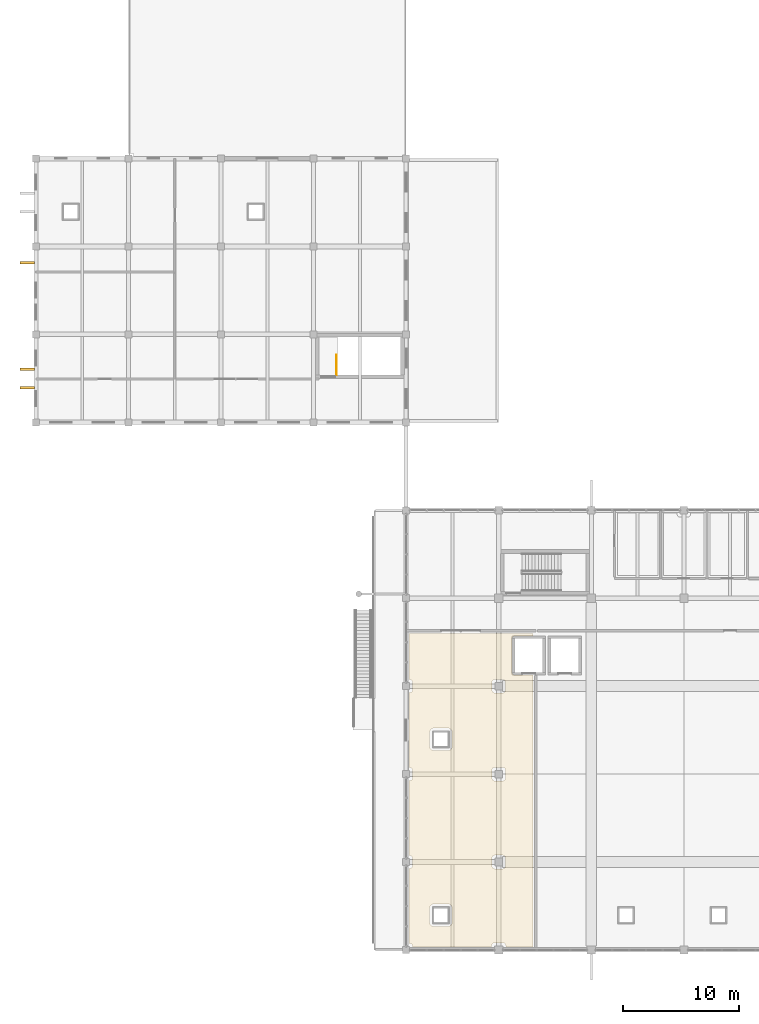
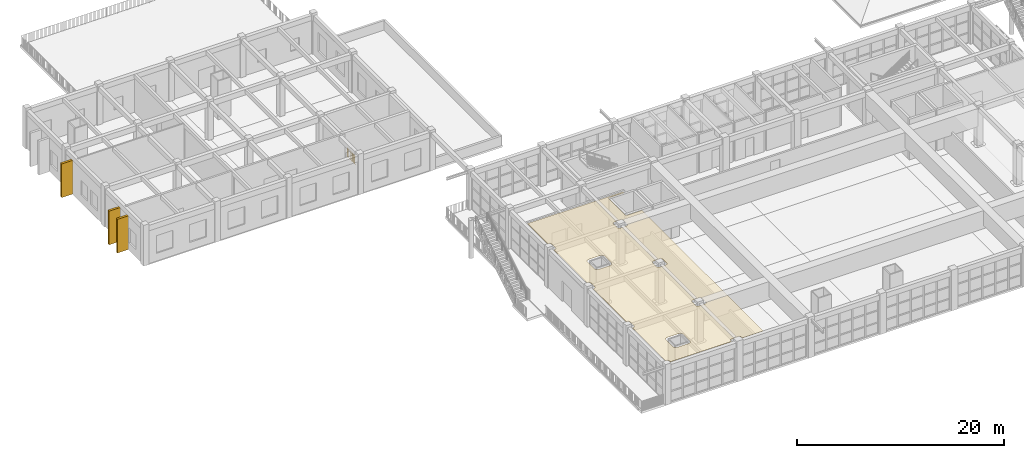
# One storey, part 44 of 50: 3 shading devices, 1 covering, 1 railing.
"""IFC4 building model written with IfcOpenShell, lengths in metres."""

from ifc_helpers import new_model, si_unit, direction, frame, origin, origin_2d, place, context, subcontext, project, spatial, polyline, rectangle, circle, outline, extrude, material, layer, layer_set, type_object, element, save


model = new_model("IFC4")

# Units and contexts
model_context = context("Model", 3, precision=1e-05, world=origin(), true_north=direction((0.0, 1.0)))
body_context = subcontext(model_context, "Body", "Model", "MODEL_VIEW")
ifc_project = project(units=[si_unit("LENGTHUNIT", "METRE"), si_unit("AREAUNIT", "SQUARE_METRE"), si_unit("VOLUMEUNIT", "CUBIC_METRE"), si_unit("PLANEANGLEUNIT", "RADIAN"), si_unit("MASSUNIT", "GRAM", prefix="KILO")], contexts=[model_context])

# Site, building, storey
site_placement = place(None, origin())
site = spatial("IfcSite", under=ifc_project, at=site_placement, CompositionType="ELEMENT")
building_placement = place(site_placement, origin())
building = spatial("IfcBuilding", under=site, at=building_placement, Name="Zantavel Square City Hall", CompositionType="ELEMENT")
storey_placement = place(building_placement, frame((0.0, 0.0, 18.89990234375)))
storey = spatial("IfcBuildingStorey", under=building, at=storey_placement, Name="L05", CompositionType="ELEMENT", Elevation=18.89990234375)

# Railing
ifc_material_1 = material(Name="Steel ASTM A500 Grade B", Category="steel")
railing_type = type_object("IfcRailingType", Name="Atrium & Gallery Steel Guard Railing 1100mm", PredefinedType="GUARDRAIL", material=ifc_material_1)
railing_placement = place(storey_placement, frame((49.97998046875, 80.10009765625, 0.0)))
element("IfcRailing", 1, at=railing_placement, inside=storey, type_object=railing_type, Name="L05 ST1 top well guard 1", PredefinedType="GUARDRAIL", context=body_context, shape_type="SweptSolid", body=[
    extrude(circle(Radius=0.02392578125, at=origin_2d()), frame((0.0, 0.0, 1.076171875), z_axis=(0.0, 1.0, 0.0), x_axis=(-1.0, 0.0, 0.0)), (0.0, 0.0, 1.0), 1.7099609375),
    extrude(rectangle(XDim=0.031982421875, YDim=0.031982421875, at=origin_2d()), frame((0.0, 0.0, 0.080078125), z_axis=(0.0, 1.0, 0.0), x_axis=(-1.0, 0.0, 0.0)), (0.0, 0.0, 1.0), 1.7099609375),
    extrude(rectangle(XDim=0.02197265625, YDim=0.02197265625, at=origin_2d()), frame((0.0, 0.090087890625, 0.080078125)), (0.0, 0.0, 1.0), 0.971923828125),
    extrude(rectangle(XDim=0.02197265625, YDim=0.02197265625, at=origin_2d()), frame((0.0, 0.179931640625, 0.080078125)), (0.0, 0.0, 1.0), 0.971923828125),
    extrude(rectangle(XDim=0.02197265625, YDim=0.02197265625, at=origin_2d()), frame((0.0, 0.27001953125, 0.080078125)), (0.0, 0.0, 1.0), 0.971923828125),
    extrude(rectangle(XDim=0.02197265625, YDim=0.02197265625, at=origin_2d()), frame((0.0, 0.360107421875, 0.080078125)), (0.0, 0.0, 1.0), 0.971923828125),
    extrude(rectangle(XDim=0.02197265625, YDim=0.02197265625, at=origin_2d()), frame((0.0, 0.449951171875, 0.080078125)), (0.0, 0.0, 1.0), 0.971923828125),
    extrude(rectangle(XDim=0.02197265625, YDim=0.02197265625, at=origin_2d()), frame((0.0, 0.5400390625, 0.080078125)), (0.0, 0.0, 1.0), 0.971923828125),
    extrude(rectangle(XDim=0.02197265625, YDim=0.02197265625, at=origin_2d()), frame((0.0, 0.6298828125, 0.080078125)), (0.0, 0.0, 1.0), 0.971923828125),
    extrude(rectangle(XDim=0.02197265625, YDim=0.02197265625, at=origin_2d()), frame((0.0, 0.719970703125, 0.080078125)), (0.0, 0.0, 1.0), 0.971923828125),
    extrude(rectangle(XDim=0.02197265625, YDim=0.02197265625, at=origin_2d()), frame((0.0, 0.989990234375, 0.080078125)), (0.0, 0.0, 1.0), 0.971923828125),
    extrude(rectangle(XDim=0.02197265625, YDim=0.02197265625, at=origin_2d()), frame((0.0, 1.080078125, 0.080078125)), (0.0, 0.0, 1.0), 0.971923828125),
    extrude(rectangle(XDim=0.02197265625, YDim=0.02197265625, at=origin_2d()), frame((0.0, 1.169921875, 0.080078125)), (0.0, 0.0, 1.0), 0.971923828125),
    extrude(rectangle(XDim=0.02197265625, YDim=0.02197265625, at=origin_2d()), frame((0.0, 1.260009765625, 0.080078125)), (0.0, 0.0, 1.0), 0.971923828125),
    extrude(rectangle(XDim=0.02197265625, YDim=0.02197265625, at=origin_2d()), frame((0.0, 1.349853515625, 0.080078125)), (0.0, 0.0, 1.0), 0.971923828125),
    extrude(rectangle(XDim=0.02197265625, YDim=0.02197265625, at=origin_2d()), frame((0.0, 1.43994140625, 0.080078125)), (0.0, 0.0, 1.0), 0.971923828125),
    extrude(rectangle(XDim=0.02197265625, YDim=0.02197265625, at=origin_2d()), frame((0.0, 1.530029296875, 0.080078125)), (0.0, 0.0, 1.0), 0.971923828125),
    extrude(rectangle(XDim=0.02197265625, YDim=0.02197265625, at=origin_2d()), frame((0.0, 1.619873046875, 0.080078125)), (0.0, 0.0, 1.0), 0.971923828125),
    extrude(circle(Radius=0.02099609375, at=origin_2d()), origin(), (0.0, 0.0, 1.0), 1.052001953125),
    extrude(circle(Radius=0.02099609375, at=origin_2d()), frame((0.0, 0.85498046875, 0.0)), (0.0, 0.0, 1.0), 1.052001953125),
    extrude(circle(Radius=0.02099609375, at=origin_2d()), frame((0.0, 1.7099609375, 0.0)), (0.0, 0.0, 1.0), 1.052001953125),
])

# Covering
ifc_material_2 = material(Name="Gypsum acoustic stud assembly", Category="masonry")
ifc_layer = layer(ifc_material_2, 0.02490234375, Name="Gypsum acoustic stud assembly")
ifc_layer_set = layer_set([ifc_layer], Name="Gypsum acoustic stud assembly")
covering_type = type_object("IfcCoveringType", Name="Perforated Gypsum Acoustic Ceiling 25mm", PredefinedType="CEILING", material=ifc_layer_set)
covering_placement = place(storey_placement, frame((0.0, 0.0, 4.4951171875)))
element("IfcCovering", 2, at=covering_placement, inside=storey, type_object=covering_type, Name="L05 Council Deliberation Lounge West Acoustic Ceiling", PredefinedType="CEILING", context=body_context, shape_type="SweptSolid", body=[
    extrude(outline(polyline([(65.15478515625, 54.351318359375), (65.160888671875, 54.327392578125), (65.1689453125, 54.30419921875), (65.179443359375, 54.2822265625), (65.192138671875, 54.260986328125), (65.206787109375, 54.241455078125), (65.22314453125, 54.22314453125), (65.241455078125, 54.206787109375), (65.260986328125, 54.192138671875), (65.2822265625, 54.179443359375), (65.30419921875, 54.1689453125), (65.327392578125, 54.160888671875), (65.351318359375, 54.15478515625), (65.37548828125, 54.151123046875), (65.39990234375, 54.14990234375), (66.949951171875, 54.14990234375), (66.949951171875, 30.64990234375), (64.610107421875, 30.64990234375), (64.610107421875, 30.760009765625), (64.60888671875, 30.784423828125), (64.605224609375, 30.808837890625), (64.59912109375, 30.83251953125), (64.591064453125, 30.855712890625), (64.58056640625, 30.877685546875), (64.56787109375, 30.89892578125), (64.55322265625, 30.918701171875), (64.536865234375, 30.936767578125), (64.5185546875, 30.953369140625), (64.498779296875, 30.968017578125), (64.477783203125, 30.98046875), (64.455810546875, 30.990966796875), (64.4326171875, 30.999267578125), (64.40869140625, 31.005126953125), (64.384521484375, 31.0087890625), (64.360107421875, 31.010009765625), (63.639892578125, 31.010009765625), (63.615478515625, 31.0087890625), (63.59130859375, 31.005126953125), (63.5673828125, 30.999267578125), (63.544189453125, 30.990966796875), (63.522216796875, 30.98046875), (63.501220703125, 30.968017578125), (63.4814453125, 30.953369140625), (63.463134765625, 30.936767578125), (63.44677734375, 30.918701171875), (63.43212890625, 30.89892578125), (63.41943359375, 30.877685546875), (63.408935546875, 30.855712890625), (63.40087890625, 30.83251953125), (63.394775390625, 30.808837890625), (63.39111328125, 30.784423828125), (63.389892578125, 30.760009765625), (63.389892578125, 30.64990234375), (56.56005859375, 30.64990234375), (56.56005859375, 30.7099609375), (56.558837890625, 30.734619140625), (56.55517578125, 30.7587890625), (56.54931640625, 30.78271484375), (56.541015625, 30.8056640625), (56.530517578125, 30.827880859375), (56.517822265625, 30.848876953125), (56.50341796875, 30.86865234375), (56.48681640625, 30.88671875), (56.468505859375, 30.9033203125), (56.448974609375, 30.91796875), (56.427734375, 30.930419921875), (56.40576171875, 30.94091796875), (56.382568359375, 30.94921875), (56.35888671875, 30.955078125), (56.33447265625, 30.958740234375), (56.31005859375, 30.9599609375), (56.25, 30.9599609375), (56.25, 37.43994140625), (56.31005859375, 37.43994140625), (56.33447265625, 37.441162109375), (56.35888671875, 37.44482421875), (56.382568359375, 37.45068359375), (56.40576171875, 37.458984375), (56.427734375, 37.469482421875), (56.448974609375, 37.482177734375), (56.468505859375, 37.49658203125), (56.48681640625, 37.51318359375), (56.50341796875, 37.531494140625), (56.517822265625, 37.551025390625), (56.530517578125, 37.572265625), (56.541015625, 37.59423828125), (56.54931640625, 37.617431640625), (56.55517578125, 37.64111328125), (56.558837890625, 37.66552734375), (56.56005859375, 37.68994140625), (56.56005859375, 38.31005859375), (56.558837890625, 38.33447265625), (56.55517578125, 38.35888671875), (56.54931640625, 38.382568359375), (56.541015625, 38.40576171875), (56.530517578125, 38.427734375), (56.517822265625, 38.448974609375), (56.50341796875, 38.468505859375), (56.48681640625, 38.48681640625), (56.468505859375, 38.50341796875), (56.448974609375, 38.517822265625), (56.427734375, 38.530517578125), (56.40576171875, 38.541015625), (56.382568359375, 38.54931640625), (56.35888671875, 38.55517578125), (56.33447265625, 38.558837890625), (56.31005859375, 38.56005859375), (56.25, 38.56005859375), (56.25, 45.0400390625), (56.31005859375, 45.0400390625), (56.33447265625, 45.041259765625), (56.35888671875, 45.044921875), (56.382568359375, 45.05078125), (56.40576171875, 45.05908203125), (56.427734375, 45.069580078125), (56.448974609375, 45.08203125), (56.468505859375, 45.0966796875), (56.48681640625, 45.11328125), (56.50341796875, 45.13134765625), (56.517822265625, 45.151123046875), (56.530517578125, 45.172119140625), (56.541015625, 45.1943359375), (56.54931640625, 45.21728515625), (56.55517578125, 45.2412109375), (56.558837890625, 45.265380859375), (56.56005859375, 45.2900390625), (56.56005859375, 45.909912109375), (56.558837890625, 45.9345703125), (56.55517578125, 45.958740234375), (56.54931640625, 45.982666015625), (56.541015625, 46.005615234375), (56.530517578125, 46.02783203125), (56.517822265625, 46.048828125), (56.50341796875, 46.068603515625), (56.48681640625, 46.0869140625), (56.468505859375, 46.103271484375), (56.448974609375, 46.117919921875), (56.427734375, 46.130615234375), (56.40576171875, 46.14111328125), (56.382568359375, 46.149169921875), (56.35888671875, 46.1552734375), (56.33447265625, 46.15869140625), (56.31005859375, 46.159912109375), (56.25, 46.159912109375), (56.25, 52.639892578125), (56.31005859375, 52.639892578125), (56.33447265625, 52.64111328125), (56.35888671875, 52.644775390625), (56.382568359375, 52.65087890625), (56.40576171875, 52.658935546875), (56.427734375, 52.66943359375), (56.448974609375, 52.68212890625), (56.468505859375, 52.69677734375), (56.48681640625, 52.713134765625), (56.50341796875, 52.7314453125), (56.517822265625, 52.751220703125), (56.530517578125, 52.772216796875), (56.541015625, 52.794189453125), (56.54931640625, 52.8173828125), (56.55517578125, 52.84130859375), (56.558837890625, 52.865478515625), (56.56005859375, 52.889892578125), (56.56005859375, 53.510009765625), (56.558837890625, 53.534423828125), (56.55517578125, 53.558837890625), (56.54931640625, 53.58251953125), (56.541015625, 53.605712890625), (56.530517578125, 53.627685546875), (56.517822265625, 53.64892578125), (56.50341796875, 53.668701171875), (56.48681640625, 53.686767578125), (56.468505859375, 53.703369140625), (56.448974609375, 53.718017578125), (56.427734375, 53.73046875), (56.40576171875, 53.740966796875), (56.382568359375, 53.749267578125), (56.35888671875, 53.755126953125), (56.33447265625, 53.7587890625), (56.31005859375, 53.760009765625), (56.25, 53.760009765625), (56.25, 57.75), (66.949951171875, 57.75), (66.949951171875, 57.550048828125), (65.39990234375, 57.550048828125), (65.37548828125, 57.548828125), (65.351318359375, 57.545166015625), (65.327392578125, 57.539306640625), (65.30419921875, 57.531005859375), (65.2822265625, 57.5205078125), (65.260986328125, 57.5078125), (65.241455078125, 57.493408203125), (65.22314453125, 57.476806640625), (65.206787109375, 57.45849609375), (65.192138671875, 57.43896484375), (65.179443359375, 57.417724609375), (65.1689453125, 57.395751953125), (65.160888671875, 57.37255859375), (65.15478515625, 57.348876953125), (65.151123046875, 57.324462890625), (65.14990234375, 57.300048828125), (65.14990234375, 54.39990234375), (65.151123046875, 54.37548828125), (65.15478515625, 54.351318359375)]), holes=[polyline([(63.419921875, 37.6162109375), (63.42578125, 37.59228515625), (63.43408203125, 37.5693359375), (63.444580078125, 37.547119140625), (63.45703125, 37.526123046875), (63.4716796875, 37.50634765625), (63.48828125, 37.48828125), (63.50634765625, 37.4716796875), (63.526123046875, 37.45703125), (63.547119140625, 37.444580078125), (63.5693359375, 37.43408203125), (63.59228515625, 37.42578125), (63.6162109375, 37.419921875), (63.640380859375, 37.416259765625), (63.6650390625, 37.4150390625), (64.3349609375, 37.4150390625), (64.359619140625, 37.416259765625), (64.3837890625, 37.419921875), (64.40771484375, 37.42578125), (64.4306640625, 37.43408203125), (64.452880859375, 37.444580078125), (64.473876953125, 37.45703125), (64.49365234375, 37.4716796875), (64.51171875, 37.48828125), (64.5283203125, 37.50634765625), (64.54296875, 37.526123046875), (64.555419921875, 37.547119140625), (64.56591796875, 37.5693359375), (64.57421875, 37.59228515625), (64.580078125, 37.6162109375), (64.583740234375, 37.640380859375), (64.5849609375, 37.6650390625), (64.5849609375, 38.3349609375), (64.583740234375, 38.359619140625), (64.580078125, 38.3837890625), (64.57421875, 38.40771484375), (64.56591796875, 38.4306640625), (64.555419921875, 38.452880859375), (64.54296875, 38.473876953125), (64.5283203125, 38.49365234375), (64.51171875, 38.51171875), (64.49365234375, 38.5283203125), (64.473876953125, 38.54296875), (64.452880859375, 38.555419921875), (64.4306640625, 38.56591796875), (64.40771484375, 38.57421875), (64.3837890625, 38.580078125), (64.359619140625, 38.583740234375), (64.3349609375, 38.5849609375), (63.6650390625, 38.5849609375), (63.640380859375, 38.583740234375), (63.6162109375, 38.580078125), (63.59228515625, 38.57421875), (63.5693359375, 38.56591796875), (63.547119140625, 38.555419921875), (63.526123046875, 38.54296875), (63.50634765625, 38.5283203125), (63.48828125, 38.51171875), (63.4716796875, 38.49365234375), (63.45703125, 38.473876953125), (63.444580078125, 38.452880859375), (63.43408203125, 38.4306640625), (63.42578125, 38.40771484375), (63.419921875, 38.3837890625), (63.416259765625, 38.359619140625), (63.4150390625, 38.3349609375), (63.4150390625, 37.6650390625), (63.416259765625, 37.640380859375), (63.419921875, 37.6162109375)]), polyline([(63.419921875, 45.21630859375), (63.42578125, 45.1923828125), (63.43408203125, 45.169189453125), (63.444580078125, 45.147216796875), (63.45703125, 45.126220703125), (63.4716796875, 45.1064453125), (63.48828125, 45.088134765625), (63.50634765625, 45.07177734375), (63.526123046875, 45.05712890625), (63.547119140625, 45.04443359375), (63.5693359375, 45.033935546875), (63.59228515625, 45.02587890625), (63.6162109375, 45.019775390625), (63.640380859375, 45.01611328125), (63.6650390625, 45.014892578125), (64.3349609375, 45.014892578125), (64.359619140625, 45.01611328125), (64.3837890625, 45.019775390625), (64.40771484375, 45.02587890625), (64.4306640625, 45.033935546875), (64.452880859375, 45.04443359375), (64.473876953125, 45.05712890625), (64.49365234375, 45.07177734375), (64.51171875, 45.088134765625), (64.5283203125, 45.1064453125), (64.54296875, 45.126220703125), (64.555419921875, 45.147216796875), (64.56591796875, 45.169189453125), (64.57421875, 45.1923828125), (64.580078125, 45.21630859375), (64.583740234375, 45.240478515625), (64.5849609375, 45.264892578125), (64.5849609375, 45.93505859375), (64.583740234375, 45.95947265625), (64.580078125, 45.98388671875), (64.57421875, 46.007568359375), (64.56591796875, 46.03076171875), (64.555419921875, 46.052734375), (64.54296875, 46.073974609375), (64.5283203125, 46.093505859375), (64.51171875, 46.11181640625), (64.49365234375, 46.12841796875), (64.473876953125, 46.142822265625), (64.452880859375, 46.155517578125), (64.4306640625, 46.166015625), (64.40771484375, 46.17431640625), (64.3837890625, 46.18017578125), (64.359619140625, 46.183837890625), (64.3349609375, 46.18505859375), (63.6650390625, 46.18505859375), (63.640380859375, 46.183837890625), (63.6162109375, 46.18017578125), (63.59228515625, 46.17431640625), (63.5693359375, 46.166015625), (63.547119140625, 46.155517578125), (63.526123046875, 46.142822265625), (63.50634765625, 46.12841796875), (63.48828125, 46.11181640625), (63.4716796875, 46.093505859375), (63.45703125, 46.073974609375), (63.444580078125, 46.052734375), (63.43408203125, 46.03076171875), (63.42578125, 46.007568359375), (63.419921875, 45.98388671875), (63.416259765625, 45.95947265625), (63.4150390625, 45.93505859375), (63.4150390625, 45.264892578125), (63.416259765625, 45.240478515625), (63.419921875, 45.21630859375)]), polyline([(63.419921875, 52.816162109375), (63.42578125, 52.79248046875), (63.43408203125, 52.769287109375), (63.444580078125, 52.747314453125), (63.45703125, 52.72607421875), (63.4716796875, 52.706298828125), (63.48828125, 52.688232421875), (63.50634765625, 52.671630859375), (63.526123046875, 52.656982421875), (63.547119140625, 52.64453125), (63.5693359375, 52.634033203125), (63.59228515625, 52.625732421875), (63.6162109375, 52.619873046875), (63.640380859375, 52.6162109375), (63.6650390625, 52.614990234375), (64.3349609375, 52.614990234375), (64.359619140625, 52.6162109375), (64.3837890625, 52.619873046875), (64.40771484375, 52.625732421875), (64.4306640625, 52.634033203125), (64.452880859375, 52.64453125), (64.473876953125, 52.656982421875), (64.49365234375, 52.671630859375), (64.51171875, 52.688232421875), (64.5283203125, 52.706298828125), (64.54296875, 52.72607421875), (64.555419921875, 52.747314453125), (64.56591796875, 52.769287109375), (64.57421875, 52.79248046875), (64.580078125, 52.816162109375), (64.583740234375, 52.840576171875), (64.5849609375, 52.864990234375), (64.5849609375, 53.534912109375), (64.583740234375, 53.5595703125), (64.580078125, 53.583740234375), (64.57421875, 53.607666015625), (64.56591796875, 53.630615234375), (64.555419921875, 53.65283203125), (64.54296875, 53.673828125), (64.5283203125, 53.693603515625), (64.51171875, 53.7119140625), (64.49365234375, 53.728271484375), (64.473876953125, 53.742919921875), (64.452880859375, 53.755615234375), (64.4306640625, 53.76611328125), (64.40771484375, 53.774169921875), (64.3837890625, 53.7802734375), (64.359619140625, 53.78369140625), (64.3349609375, 53.784912109375), (63.6650390625, 53.784912109375), (63.640380859375, 53.78369140625), (63.6162109375, 53.7802734375), (63.59228515625, 53.774169921875), (63.5693359375, 53.76611328125), (63.547119140625, 53.755615234375), (63.526123046875, 53.742919921875), (63.50634765625, 53.728271484375), (63.48828125, 53.7119140625), (63.4716796875, 53.693603515625), (63.45703125, 53.673828125), (63.444580078125, 53.65283203125), (63.43408203125, 53.630615234375), (63.42578125, 53.607666015625), (63.419921875, 53.583740234375), (63.416259765625, 53.5595703125), (63.4150390625, 53.534912109375), (63.4150390625, 52.864990234375), (63.416259765625, 52.840576171875), (63.419921875, 52.816162109375)]), polyline([(58.281005859375, 32.44970703125), (58.304443359375, 32.442626953125), (58.31591796875, 32.439697265625), (58.33984375, 32.43505859375), (58.3515625, 32.433349609375), (58.3759765625, 32.430908203125), (58.3876953125, 32.430419921875), (58.39990234375, 32.429931640625), (59.60009765625, 32.429931640625), (59.6123046875, 32.430419921875), (59.6240234375, 32.430908203125), (59.6484375, 32.433349609375), (59.66015625, 32.43505859375), (59.68408203125, 32.439697265625), (59.695556640625, 32.442626953125), (59.718994140625, 32.44970703125), (59.72998046875, 32.45361328125), (59.752685546875, 32.463134765625), (59.763427734375, 32.46826171875), (59.78515625, 32.479736328125), (59.795166015625, 32.48583984375), (59.815673828125, 32.49951171875), (59.8251953125, 32.50634765625), (59.843994140625, 32.52197265625), (59.852783203125, 32.52978515625), (59.8701171875, 32.54736328125), (59.8779296875, 32.555908203125), (59.8935546875, 32.574951171875), (59.900634765625, 32.58447265625), (59.914306640625, 32.604736328125), (59.92041015625, 32.614990234375), (59.931884765625, 32.636474609375), (59.93701171875, 32.647216796875), (59.9462890625, 32.669921875), (59.9501953125, 32.680908203125), (59.957275390625, 32.704345703125), (59.960205078125, 32.7158203125), (59.965087890625, 32.739990234375), (59.966796875, 32.751708984375), (59.968994140625, 32.77587890625), (59.9697265625, 32.78759765625), (59.969970703125, 32.800048828125), (59.969970703125, 34.0), (59.9697265625, 34.01220703125), (59.968994140625, 34.02392578125), (59.966796875, 34.04833984375), (59.965087890625, 34.06005859375), (59.960205078125, 34.084228515625), (59.957275390625, 34.095703125), (59.9501953125, 34.119140625), (59.9462890625, 34.130126953125), (59.93701171875, 34.15283203125), (59.931884765625, 34.16357421875), (59.92041015625, 34.18505859375), (59.914306640625, 34.1953125), (59.900634765625, 34.215576171875), (59.8935546875, 34.22509765625), (59.8779296875, 34.243896484375), (59.8701171875, 34.252685546875), (59.852783203125, 34.27001953125), (59.843994140625, 34.278076171875), (59.8251953125, 34.293701171875), (59.815673828125, 34.300537109375), (59.795166015625, 34.314208984375), (59.78515625, 34.3203125), (59.763427734375, 34.331787109375), (59.752685546875, 34.3369140625), (59.72998046875, 34.34619140625), (59.718994140625, 34.35009765625), (59.695556640625, 34.357421875), (59.68408203125, 34.360107421875), (59.66015625, 34.364990234375), (59.6484375, 34.36669921875), (59.6240234375, 34.369140625), (59.6123046875, 34.36962890625), (59.60009765625, 34.3701171875), (58.39990234375, 34.3701171875), (58.3876953125, 34.36962890625), (58.3759765625, 34.369140625), (58.3515625, 34.36669921875), (58.33984375, 34.364990234375), (58.31591796875, 34.360107421875), (58.304443359375, 34.357421875), (58.281005859375, 34.35009765625), (58.27001953125, 34.34619140625), (58.247314453125, 34.3369140625), (58.236572265625, 34.331787109375), (58.21484375, 34.3203125), (58.204833984375, 34.314208984375), (58.184326171875, 34.300537109375), (58.1748046875, 34.293701171875), (58.156005859375, 34.278076171875), (58.147216796875, 34.27001953125), (58.1298828125, 34.252685546875), (58.1220703125, 34.243896484375), (58.1064453125, 34.22509765625), (58.099365234375, 34.215576171875), (58.085693359375, 34.1953125), (58.07958984375, 34.18505859375), (58.068115234375, 34.16357421875), (58.06298828125, 34.15283203125), (58.0537109375, 34.130126953125), (58.0498046875, 34.119140625), (58.042724609375, 34.095703125), (58.039794921875, 34.084228515625), (58.034912109375, 34.06005859375), (58.033203125, 34.04833984375), (58.031005859375, 34.02392578125), (58.0302734375, 34.01220703125), (58.030029296875, 34.0), (58.030029296875, 32.800048828125), (58.0302734375, 32.78759765625), (58.031005859375, 32.77587890625), (58.033203125, 32.751708984375), (58.034912109375, 32.739990234375), (58.039794921875, 32.7158203125), (58.042724609375, 32.704345703125), (58.0498046875, 32.680908203125), (58.0537109375, 32.669921875), (58.06298828125, 32.647216796875), (58.068115234375, 32.636474609375), (58.07958984375, 32.614990234375), (58.085693359375, 32.604736328125), (58.099365234375, 32.58447265625), (58.1064453125, 32.574951171875), (58.1220703125, 32.555908203125), (58.1298828125, 32.54736328125), (58.147216796875, 32.52978515625), (58.156005859375, 32.52197265625), (58.1748046875, 32.50634765625), (58.184326171875, 32.49951171875), (58.204833984375, 32.48583984375), (58.21484375, 32.479736328125), (58.236572265625, 32.46826171875), (58.247314453125, 32.463134765625), (58.27001953125, 32.45361328125), (58.281005859375, 32.44970703125)]), polyline([(58.3876953125, 47.63037109375), (58.39990234375, 47.6298828125), (59.60009765625, 47.6298828125), (59.6123046875, 47.63037109375), (59.6240234375, 47.630859375), (59.6484375, 47.63330078125), (59.66015625, 47.635009765625), (59.68408203125, 47.639892578125), (59.695556640625, 47.642578125), (59.718994140625, 47.64990234375), (59.72998046875, 47.65380859375), (59.752685546875, 47.6630859375), (59.763427734375, 47.668212890625), (59.78515625, 47.6796875), (59.795166015625, 47.685791015625), (59.815673828125, 47.699462890625), (59.8251953125, 47.706298828125), (59.843994140625, 47.721923828125), (59.852783203125, 47.72998046875), (59.8701171875, 47.747314453125), (59.8779296875, 47.756103515625), (59.8935546875, 47.77490234375), (59.900634765625, 47.784423828125), (59.914306640625, 47.8046875), (59.92041015625, 47.81494140625), (59.931884765625, 47.83642578125), (59.93701171875, 47.84716796875), (59.9462890625, 47.869873046875), (59.9501953125, 47.880859375), (59.957275390625, 47.904296875), (59.960205078125, 47.915771484375), (59.965087890625, 47.93994140625), (59.966796875, 47.95166015625), (59.968994140625, 47.97607421875), (59.9697265625, 47.98779296875), (59.969970703125, 48.0), (59.969970703125, 49.199951171875), (59.9697265625, 49.21240234375), (59.968994140625, 49.22412109375), (59.966796875, 49.248291015625), (59.965087890625, 49.260009765625), (59.960205078125, 49.2841796875), (59.957275390625, 49.295654296875), (59.9501953125, 49.319091796875), (59.9462890625, 49.330078125), (59.93701171875, 49.352783203125), (59.931884765625, 49.363525390625), (59.92041015625, 49.385009765625), (59.914306640625, 49.395263671875), (59.900634765625, 49.41552734375), (59.8935546875, 49.425048828125), (59.8779296875, 49.444091796875), (59.8701171875, 49.45263671875), (59.852783203125, 49.47021484375), (59.843994140625, 49.47802734375), (59.8251953125, 49.49365234375), (59.815673828125, 49.50048828125), (59.795166015625, 49.51416015625), (59.78515625, 49.520263671875), (59.763427734375, 49.53173828125), (59.752685546875, 49.536865234375), (59.72998046875, 49.54638671875), (59.718994140625, 49.55029296875), (59.695556640625, 49.557373046875), (59.68408203125, 49.560302734375), (59.66015625, 49.56494140625), (59.6484375, 49.566650390625), (59.6240234375, 49.569091796875), (59.6123046875, 49.569580078125), (59.60009765625, 49.570068359375), (58.39990234375, 49.570068359375), (58.3876953125, 49.569580078125), (58.3759765625, 49.569091796875), (58.3515625, 49.566650390625), (58.33984375, 49.56494140625), (58.31591796875, 49.560302734375), (58.304443359375, 49.557373046875), (58.281005859375, 49.55029296875), (58.27001953125, 49.54638671875), (58.247314453125, 49.536865234375), (58.236572265625, 49.53173828125), (58.21484375, 49.520263671875), (58.204833984375, 49.51416015625), (58.184326171875, 49.50048828125), (58.1748046875, 49.49365234375), (58.156005859375, 49.47802734375), (58.147216796875, 49.47021484375), (58.1298828125, 49.45263671875), (58.1220703125, 49.444091796875), (58.1064453125, 49.425048828125), (58.099365234375, 49.41552734375), (58.085693359375, 49.395263671875), (58.07958984375, 49.385009765625), (58.068115234375, 49.363525390625), (58.06298828125, 49.352783203125), (58.0537109375, 49.330078125), (58.0498046875, 49.319091796875), (58.042724609375, 49.295654296875), (58.039794921875, 49.2841796875), (58.034912109375, 49.260009765625), (58.033203125, 49.248291015625), (58.031005859375, 49.22412109375), (58.0302734375, 49.21240234375), (58.030029296875, 49.199951171875), (58.030029296875, 48.0), (58.0302734375, 47.98779296875), (58.031005859375, 47.97607421875), (58.033203125, 47.95166015625), (58.034912109375, 47.93994140625), (58.039794921875, 47.915771484375), (58.042724609375, 47.904296875), (58.0498046875, 47.880859375), (58.0537109375, 47.869873046875), (58.06298828125, 47.84716796875), (58.068115234375, 47.83642578125), (58.07958984375, 47.81494140625), (58.085693359375, 47.8046875), (58.099365234375, 47.784423828125), (58.1064453125, 47.77490234375), (58.1220703125, 47.756103515625), (58.1298828125, 47.747314453125), (58.147216796875, 47.72998046875), (58.156005859375, 47.721923828125), (58.1748046875, 47.706298828125), (58.184326171875, 47.699462890625), (58.204833984375, 47.685791015625), (58.21484375, 47.6796875), (58.236572265625, 47.668212890625), (58.247314453125, 47.6630859375), (58.27001953125, 47.65380859375), (58.281005859375, 47.64990234375), (58.304443359375, 47.642578125), (58.31591796875, 47.639892578125), (58.33984375, 47.635009765625), (58.3515625, 47.63330078125), (58.3759765625, 47.630859375), (58.3876953125, 47.63037109375)])]), origin(), (0.0, 0.0, 1.0), 0.02490234375),
])

# Shading devices
ifc_material_3 = material(Name="White cantera volcanic tuff stone", Category="masonry")
shading_device_type = type_object("IfcShadingDeviceType", Name="White Cantera Tray Mullion Fin 240x1240", PredefinedType="USERDEFINED", material=ifc_material_3)
for number, where, z_axis, x_axis, name in (
    (3, (23.239990234375, 79.0, 0.0), (0.0, 0.0, 1.0), (1.0, 0.0, 0.0), "L05 Cantera Solar Pier 091"),
    (4, (23.239990234375, 80.60009765625, 0.0), (0.0, 0.0, 1.0), (1.0, 0.0, 0.0), "L05 Cantera Solar Pier 092"),
    (5, (23.239990234375, 89.800048828125, 0.0), (0.0, 0.0, 1.0), (1.0, 0.0, 0.0), "L05 Cantera Solar Pier 093"),
):
    element("IfcShadingDevice", number, at=place(storey_placement, frame(where, z_axis=z_axis, x_axis=x_axis)), inside=storey, type_object=shading_device_type, Name=name, ObjectType="FIN", PredefinedType="USERDEFINED", context=body_context, shape_type="SweptSolid", body=[
        extrude(rectangle(XDim=1.239990234375, YDim=0.239990234375, at=origin_2d()), origin(), (0.0, 0.0, 1.0), 3.969970703125),
    ])

save(model, "model.ifc")
